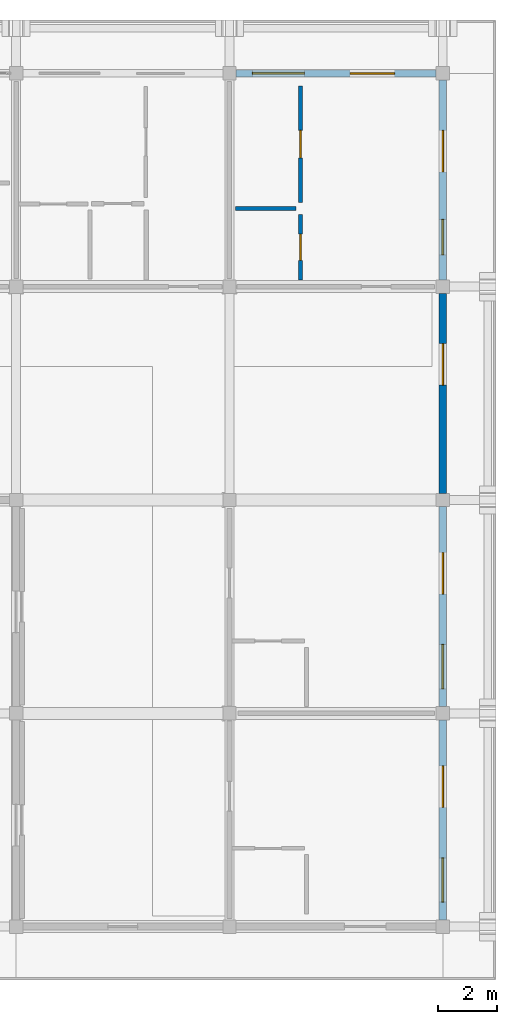
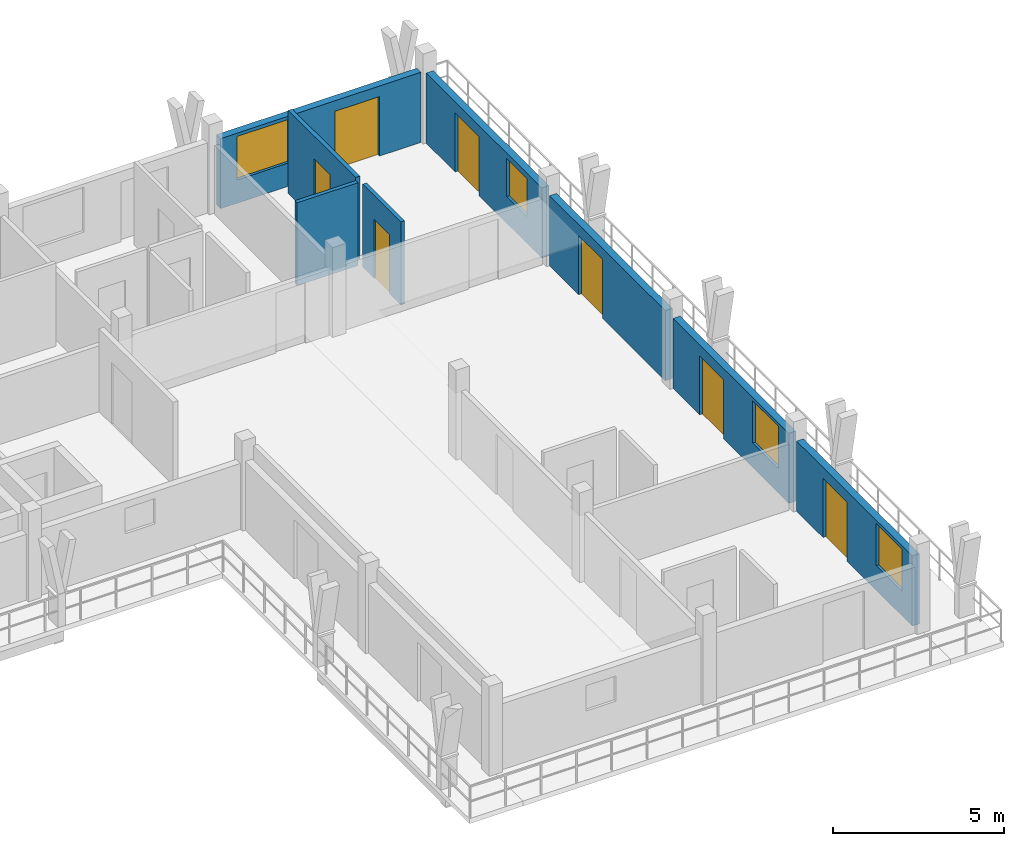
# One storey, part 26 of 32: 8 walls, 7 doors, 4 windows, 11 openings.
"""IFC4 building model written with IfcOpenShell, lengths in metres."""

from ifc_helpers import new_model, si_unit, direction, frame, frame_2d, origin, place, context, subcontext, project, spatial, rectangle, extrude, material, layer, layer_set, type_object, element, fill, save


model = new_model("IFC4")

# Units and contexts
model_context = context("Model", 3, precision=1e-05, world=origin(), true_north=direction((0.0, 1.0)))
body_context = subcontext(model_context, "Body", "Model", "MODEL_VIEW")
ifc_project = project(units=[si_unit("LENGTHUNIT", "METRE"), si_unit("AREAUNIT", "SQUARE_METRE"), si_unit("VOLUMEUNIT", "CUBIC_METRE"), si_unit("PLANEANGLEUNIT", "RADIAN"), si_unit("MASSUNIT", "GRAM", prefix="KILO")], contexts=[model_context])

# Site, building, storey
site_placement = place(None, origin())
site = spatial("IfcSite", under=ifc_project, at=site_placement, CompositionType="ELEMENT")
building_placement = place(site_placement, origin())
building = spatial("IfcBuilding", under=site, at=building_placement, Name="Suanplinth Sawtooth Commons", CompositionType="ELEMENT")
storey_placement = place(building_placement, frame((0.0, 0.0, 41.199951171875)))
storey = spatial("IfcBuildingStorey", under=building, at=storey_placement, Name="L12", CompositionType="ELEMENT", Elevation=41.199951171875)

# Wall, openings, door, window
ifc_material_1 = material(Name="Precast concrete C40/50", Category="concrete")
ifc_layer_1 = layer(ifc_material_1, 0.239990234375, Name="Upper insulated precast facade wall 240mm")
ifc_layer_set_1 = layer_set([ifc_layer_1], Name="Precast concrete C40/50")
wall_type_1 = type_object("IfcWallType", Name="W-EX03", PredefinedType="ELEMENTEDWALL", material=ifc_layer_set_1)
wall_1_placement = place(storey_placement, frame((187.199951171875, 93.824951171875, 0.0), z_axis=(0.0, 0.0, 1.0), x_axis=(0.0, 1.0, 0.0)))
wall_1 = element("IfcWall", 1, at=wall_1_placement, inside=storey, type_object=wall_type_1, Name="Facade Wall W-L12-B-E-25-13", PredefinedType="ELEMENTEDWALL", context=body_context, shape_type="SweptSolid", body=[
    extrude(rectangle(XDim=6.75, YDim=0.239990234375, at=frame_2d((3.375, 0.0))), origin(), (0.0, 0.0, 1.0), 2.4951171875),
])
opening_1_placement = place(wall_1_placement, frame((3.800048828125, 0.0, 0.0)))
opening_1 = element("IfcOpeningElement", 2, at=opening_1_placement, cuts=wall_1, Name="Opening ED0828", PredefinedType="OPENING", context=body_context, shape_type="SweptSolid", body=[
    extrude(rectangle(XDim=1.39990234375, YDim=2.10009765625, at=frame_2d((0.699951171875, 1.050048828125))), frame((0.0, 0.134765625, 0.0), z_axis=(0.0, -1.0, 0.0), x_axis=(1.0, 0.0, 0.0)), (0.0, 0.0, 1.0), 0.269775390625),
])
opening_2_placement = place(wall_1_placement, frame((0.60009765625, 0.0, 0.8798828125)))
opening_2 = element("IfcOpeningElement", 3, at=opening_2_placement, cuts=wall_1, Name="Opening W0913", PredefinedType="OPENING", context=body_context, shape_type="SweptSolid", body=[
    extrude(rectangle(XDim=1.5, YDim=1.5, at=frame_2d((0.75, 0.75))), frame((0.0, 0.134765625, 0.0), z_axis=(0.0, -1.0, 0.0), x_axis=(1.0, 0.0, 0.0)), (0.0, 0.0, 1.0), 0.269775390625),
])
ifc_material_2 = material(Name="Anodized aluminium and low-E glass", Category="aluminium")
door_type_1 = type_object("IfcDoorType", Name="SD-07", OperationType="SLIDING_TO_RIGHT", PredefinedType="DOOR", material=ifc_material_2)
door_1_placement = place(opening_1_placement, frame((1.39990234375, 0.0, 0.0), z_axis=(0.0, 0.0, 1.0), x_axis=(-1.0, 0.0, 0.0)))
door_1 = element("IfcDoor", 4, at=door_1_placement, inside=storey, type_object=door_type_1, Name="Wing Balcony Sliding Door L12-B-13", OperationType="SLIDING_TO_RIGHT", OverallHeight=2.10009765625, OverallWidth=1.39990234375, PredefinedType="DOOR", context=body_context, shape_type="SweptSolid", body=[
    extrude(rectangle(XDim=1.39990234375, YDim=2.10009765625, at=frame_2d((0.699951171875, 1.050048828125))), frame((0.0, 0.02490234375, 0.0), z_axis=(0.0, -1.0, 0.0), x_axis=(1.0, 0.0, 0.0)), (0.0, 0.0, 1.0), 0.050048828125),
])
fill(opening_1, door_1)
ifc_material_3 = material(Name="Thermally broken aluminium and low-E double glazing", Category="aluminium")
window_type_1 = type_object("IfcWindowType", Name="WN-02", PartitioningType="DOUBLE_PANEL_VERTICAL", PredefinedType="WINDOW", material=ifc_material_3)
window_1_placement = place(opening_2_placement, origin())
window_1 = element("IfcWindow", 5, at=window_1_placement, inside=storey, type_object=window_type_1, Name="Wing Window L12-B-13", OverallHeight=1.5, OverallWidth=1.5, PartitioningType="DOUBLE_PANEL_VERTICAL", PredefinedType="WINDOW", context=body_context, shape_type="SweptSolid", body=[
    extrude(rectangle(XDim=1.5, YDim=1.5, at=frame_2d((0.75, 0.75))), frame((0.0, 0.030029296875, 0.0), z_axis=(0.0, -1.0, 0.0), x_axis=(1.0, 0.0, 0.0)), (0.0, 0.0, 1.0), 0.06005859375),
])
fill(opening_2, window_1)

wall_2_placement = place(storey_placement, frame((187.199951171875, 101.02490234375, 0.0), z_axis=(0.0, 0.0, 1.0), x_axis=(0.0, 1.0, 0.0)))
wall_2 = element("IfcWall", 6, at=wall_2_placement, inside=storey, type_object=wall_type_1, Name="Facade Wall W-L12-B-E-25-14", PredefinedType="ELEMENTEDWALL", context=body_context, shape_type="SweptSolid", body=[
    extrude(rectangle(XDim=6.75, YDim=0.239990234375, at=frame_2d((3.375, 0.0))), origin(), (0.0, 0.0, 1.0), 2.4951171875),
])
opening_3_placement = place(wall_2_placement, frame((3.800048828125, 0.0, 0.0)))
opening_3 = element("IfcOpeningElement", 7, at=opening_3_placement, cuts=wall_2, Name="Opening ED0829", PredefinedType="OPENING", context=body_context, shape_type="SweptSolid", body=[
    extrude(rectangle(XDim=1.39990234375, YDim=2.10009765625, at=frame_2d((0.699951171875, 1.050048828125))), frame((0.0, 0.134765625, 0.0), z_axis=(0.0, -1.0, 0.0), x_axis=(1.0, 0.0, 0.0)), (0.0, 0.0, 1.0), 0.269775390625),
])
opening_4_placement = place(wall_2_placement, frame((0.60009765625, 0.0, 0.8798828125)))
opening_4 = element("IfcOpeningElement", 8, at=opening_4_placement, cuts=wall_2, Name="Opening W0914", PredefinedType="OPENING", context=body_context, shape_type="SweptSolid", body=[
    extrude(rectangle(XDim=1.5, YDim=1.5, at=frame_2d((0.75, 0.75))), frame((0.0, 0.134765625, 0.0), z_axis=(0.0, -1.0, 0.0), x_axis=(1.0, 0.0, 0.0)), (0.0, 0.0, 1.0), 0.269775390625),
])
door_2_placement = place(opening_3_placement, frame((1.39990234375, 0.0, 0.0), z_axis=(0.0, 0.0, 1.0), x_axis=(-1.0, 0.0, 0.0)))
door_2 = element("IfcDoor", 9, at=door_2_placement, inside=storey, type_object=door_type_1, Name="Wing Balcony Sliding Door L12-B-14", OperationType="SLIDING_TO_RIGHT", OverallHeight=2.10009765625, OverallWidth=1.39990234375, PredefinedType="DOOR", context=body_context, shape_type="SweptSolid", body=[
    extrude(rectangle(XDim=1.39990234375, YDim=2.10009765625, at=frame_2d((0.699951171875, 1.050048828125))), frame((0.0, 0.02490234375, 0.0), z_axis=(0.0, -1.0, 0.0), x_axis=(1.0, 0.0, 0.0)), (0.0, 0.0, 1.0), 0.050048828125),
])
fill(opening_3, door_2)
window_2_placement = place(opening_4_placement, origin())
window_2 = element("IfcWindow", 10, at=window_2_placement, inside=storey, type_object=window_type_1, Name="Wing Window L12-B-14", OverallHeight=1.5, OverallWidth=1.5, PartitioningType="DOUBLE_PANEL_VERTICAL", PredefinedType="WINDOW", context=body_context, shape_type="SweptSolid", body=[
    extrude(rectangle(XDim=1.5, YDim=1.5, at=frame_2d((0.75, 0.75))), frame((0.0, 0.030029296875, 0.0), z_axis=(0.0, -1.0, 0.0), x_axis=(1.0, 0.0, 0.0)), (0.0, 0.0, 1.0), 0.06005859375),
])
fill(opening_4, window_2)

# Wall, opening, door
wall_3_placement = place(storey_placement, frame((187.199951171875, 108.22509765625, 0.0), z_axis=(0.0, 0.0, 1.0), x_axis=(0.0, 1.0, 0.0)))
wall_3 = element("IfcWall", 11, at=wall_3_placement, inside=storey, type_object=wall_type_1, Name="Facade Wall W-L12-B-E-25-15", PredefinedType="ELEMENTEDWALL", context=body_context, shape_type="SweptSolid", body=[
    extrude(rectangle(XDim=6.75, YDim=0.239990234375, at=frame_2d((3.375, 0.0))), origin(), (0.0, 0.0, 1.0), 2.4951171875),
])
opening_5_placement = place(wall_3_placement, frame((3.64990234375, 0.0, 0.0)))
opening_5 = element("IfcOpeningElement", 12, at=opening_5_placement, cuts=wall_3, Name="Opening ED0830", PredefinedType="OPENING", context=body_context, shape_type="SweptSolid", body=[
    extrude(rectangle(XDim=1.39990234375, YDim=2.10009765625, at=frame_2d((0.699951171875, 1.050048828125))), frame((0.0, 0.134765625, 0.0), z_axis=(0.0, -1.0, 0.0), x_axis=(1.0, 0.0, 0.0)), (0.0, 0.0, 1.0), 0.269775390625),
])
door_3_placement = place(opening_5_placement, frame((1.39990234375, 0.0, 0.0), z_axis=(0.0, 0.0, 1.0), x_axis=(-1.0, 0.0, 0.0)))
door_3 = element("IfcDoor", 13, at=door_3_placement, inside=storey, type_object=door_type_1, Name="End Balcony Sliding Door L12-B-E-25-15", OperationType="SLIDING_TO_RIGHT", OverallHeight=2.10009765625, OverallWidth=1.39990234375, PredefinedType="DOOR", context=body_context, shape_type="SweptSolid", body=[
    extrude(rectangle(XDim=1.39990234375, YDim=2.10009765625, at=frame_2d((0.699951171875, 1.050048828125))), frame((0.0, 0.02490234375, 0.0), z_axis=(0.0, -1.0, 0.0), x_axis=(1.0, 0.0, 0.0)), (0.0, 0.0, 1.0), 0.050048828125),
])
fill(opening_5, door_3)

# Wall, openings, door, window
wall_4_placement = place(storey_placement, frame((180.22509765625, 122.39990234375, 0.0), z_axis=(0.0, 0.0, 1.0), x_axis=(1.0, 0.0, 0.0)))
wall_4 = element("IfcWall", 14, at=wall_4_placement, inside=storey, type_object=wall_type_1, Name="Facade Wall W-L12-B-N-25-16", PredefinedType="ELEMENTEDWALL", context=body_context, shape_type="SweptSolid", body=[
    extrude(rectangle(XDim=6.75, YDim=0.239990234375, at=frame_2d((3.375, 0.0))), origin(), (0.0, 0.0, 1.0), 2.4951171875),
])
opening_6_placement = place(wall_4_placement, frame((3.85009765625, 0.0, 0.0)))
opening_6 = element("IfcOpeningElement", 15, at=opening_6_placement, cuts=wall_4, Name="Opening ED0831", PredefinedType="OPENING", context=body_context, shape_type="SweptSolid", body=[
    extrude(rectangle(XDim=1.5, YDim=2.1201171875, at=frame_2d((0.75, 1.06005859375))), frame((0.0, 0.134765625, 0.0), z_axis=(0.0, -1.0, 0.0), x_axis=(1.0, 0.0, 0.0)), (0.0, 0.0, 1.0), 0.269775390625),
])
opening_7_placement = place(wall_4_placement, frame((0.550048828125, 0.0, 0.830078125)))
opening_7 = element("IfcOpeningElement", 16, at=opening_7_placement, cuts=wall_4, Name="Opening W0915", PredefinedType="OPENING", context=body_context, shape_type="SweptSolid", body=[
    extrude(rectangle(XDim=1.75, YDim=1.550048828125, at=frame_2d((0.875, 0.77490234375))), frame((0.0, 0.134765625, 0.0), z_axis=(0.0, -1.0, 0.0), x_axis=(1.0, 0.0, 0.0)), (0.0, 0.0, 1.0), 0.269775390625),
])
door_type_2 = type_object("IfcDoorType", Name="SD-03", OperationType="SLIDING_TO_LEFT", PredefinedType="DOOR", material=ifc_material_2)
door_4_placement = place(opening_6_placement, frame((1.5, 0.0, 0.0), z_axis=(0.0, 0.0, 1.0), x_axis=(-1.0, 0.0, 0.0)))
door_4 = element("IfcDoor", 17, at=door_4_placement, inside=storey, type_object=door_type_2, Name="Balcony Sliding Door L12-B-25", OperationType="SLIDING_TO_LEFT", OverallHeight=2.1201171875, OverallWidth=1.5, PredefinedType="DOOR", context=body_context, shape_type="SweptSolid", body=[
    extrude(rectangle(XDim=1.5, YDim=2.1201171875, at=frame_2d((0.75, 1.06005859375))), frame((0.0, 0.02490234375, 0.0), z_axis=(0.0, -1.0, 0.0), x_axis=(1.0, 0.0, 0.0)), (0.0, 0.0, 1.0), 0.050048828125),
])
fill(opening_6, door_4)
window_type_2 = type_object("IfcWindowType", Name="WN-26", PartitioningType="DOUBLE_PANEL_VERTICAL", PredefinedType="WINDOW", material=ifc_material_3)
window_3_placement = place(opening_7_placement, origin())
window_3 = element("IfcWindow", 18, at=window_3_placement, inside=storey, type_object=window_type_2, Name="Apartment Window L12-B-25", OverallHeight=1.550048828125, OverallWidth=1.75, PartitioningType="DOUBLE_PANEL_VERTICAL", PredefinedType="WINDOW", context=body_context, shape_type="SweptSolid", body=[
    extrude(rectangle(XDim=1.75, YDim=1.550048828125, at=frame_2d((0.875, 0.77490234375))), frame((0.0, 0.030029296875, 0.0), z_axis=(0.0, -1.0, 0.0), x_axis=(1.0, 0.0, 0.0)), (0.0, 0.0, 1.0), 0.06005859375),
])
fill(opening_7, window_3)

wall_5_placement = place(storey_placement, frame((187.199951171875, 115.425048828125, 0.0), z_axis=(0.0, 0.0, 1.0), x_axis=(0.0, 1.0, 0.0)))
wall_5 = element("IfcWall", 19, at=wall_5_placement, inside=storey, type_object=wall_type_1, Name="Facade Wall W-L12-B-E-25-16", PredefinedType="ELEMENTEDWALL", context=body_context, shape_type="SweptSolid", body=[
    extrude(rectangle(XDim=6.75, YDim=0.239990234375, at=frame_2d((3.375, 0.0))), origin(), (0.0, 0.0, 1.0), 2.4951171875),
])
opening_8_placement = place(wall_5_placement, frame((3.64990234375, 0.0, 0.0)))
opening_8 = element("IfcOpeningElement", 20, at=opening_8_placement, cuts=wall_5, Name="Opening ED0832", PredefinedType="OPENING", context=body_context, shape_type="SweptSolid", body=[
    extrude(rectangle(XDim=1.39990234375, YDim=2.10009765625, at=frame_2d((0.699951171875, 1.050048828125))), frame((0.0, 0.134765625, 0.0), z_axis=(0.0, -1.0, 0.0), x_axis=(1.0, 0.0, 0.0)), (0.0, 0.0, 1.0), 0.269775390625),
])
opening_9_placement = place(wall_5_placement, frame((0.85009765625, 0.0, 0.949951171875)))
opening_9 = element("IfcOpeningElement", 21, at=opening_9_placement, cuts=wall_5, Name="Opening W0916", PredefinedType="OPENING", context=body_context, shape_type="SweptSolid", body=[
    extrude(rectangle(XDim=1.199951171875, YDim=1.35009765625, at=frame_2d((0.60009765625, 0.675048828125))), frame((0.0, 0.134765625, 0.0), z_axis=(0.0, -1.0, 0.0), x_axis=(1.0, 0.0, 0.0)), (0.0, 0.0, 1.0), 0.269775390625),
])
door_5_placement = place(opening_8_placement, frame((1.39990234375, 0.0, 0.0), z_axis=(0.0, 0.0, 1.0), x_axis=(-1.0, 0.0, 0.0)))
door_5 = element("IfcDoor", 22, at=door_5_placement, inside=storey, type_object=door_type_1, Name="End Balcony Sliding Door L12-B-E-25-16", OperationType="SLIDING_TO_RIGHT", OverallHeight=2.10009765625, OverallWidth=1.39990234375, PredefinedType="DOOR", context=body_context, shape_type="SweptSolid", body=[
    extrude(rectangle(XDim=1.39990234375, YDim=2.10009765625, at=frame_2d((0.699951171875, 1.050048828125))), frame((0.0, 0.02490234375, 0.0), z_axis=(0.0, -1.0, 0.0), x_axis=(1.0, 0.0, 0.0)), (0.0, 0.0, 1.0), 0.050048828125),
])
fill(opening_8, door_5)
window_type_3 = type_object("IfcWindowType", Name="WN-03", PartitioningType="SINGLE_PANEL", PredefinedType="WINDOW", material=ifc_material_3)
window_4_placement = place(opening_9_placement, origin())
window_4 = element("IfcWindow", 23, at=window_4_placement, inside=storey, type_object=window_type_3, Name="End Bedroom Window L12-B-25-16", OverallHeight=1.35009765625, OverallWidth=1.199951171875, PartitioningType="SINGLE_PANEL", PredefinedType="WINDOW", context=body_context, shape_type="SweptSolid", body=[
    extrude(rectangle(XDim=1.199951171875, YDim=1.35009765625, at=frame_2d((0.60009765625, 0.675048828125))), frame((0.0, 0.030029296875, 0.0), z_axis=(0.0, -1.0, 0.0), x_axis=(1.0, 0.0, 0.0)), (0.0, 0.0, 1.0), 0.06005859375),
])
fill(opening_9, window_4)

# Wall, opening, door
ifc_material_4 = material(Name="Gypsum plasterboard on steel stud", Category="steel")
ifc_layer_2 = layer(ifc_material_4, 0.139892578125, Name="Fire-rated kitchen partition 140mm")
ifc_layer_set_2 = layer_set([ifc_layer_2], Name="Gypsum plasterboard on steel stud")
wall_type_2 = type_object("IfcWallType", Name="W-PT01", PredefinedType="PARTITIONING", material=ifc_layer_set_2)
wall_6_placement = place(storey_placement, frame((182.39501953125, 118.0400390625, 0.0), z_axis=(0.0, 0.0, 1.0), x_axis=(0.0, 1.0, 0.0)))
wall_6 = element("IfcWall", 24, at=wall_6_placement, inside=storey, type_object=wall_type_2, Name="W-B-L12-U05-KITE", PredefinedType="PARTITIONING", context=body_context, shape_type="SweptSolid", body=[
    extrude(rectangle(XDim=3.93994140625, YDim=0.139892578125, at=frame_2d((1.969970703125, 0.0))), origin(), (0.0, 0.0, 1.0), 2.949951171875),
])
opening_10_placement = place(wall_6_placement, frame((1.5048828125, 0.0, 0.0)))
opening_10 = element("IfcOpeningElement", 25, at=opening_10_placement, cuts=wall_6, Name="Opening D2030", PredefinedType="OPENING", context=body_context, shape_type="SweptSolid", body=[
    extrude(rectangle(XDim=0.929931640625, YDim=2.139892578125, at=frame_2d((0.46484375, 1.06982421875))), frame((0.0, 0.0849609375, 0.0), z_axis=(0.0, -1.0, 0.0), x_axis=(1.0, 0.0, 0.0)), (0.0, 0.0, 1.0), 0.169677734375),
])
ifc_material_5 = material(Name="Teak hardwood", Category="wood")
door_type_3 = type_object("IfcDoorType", Name="D-19", OperationType="NOTDEFINED", PredefinedType="DOOR", material=ifc_material_5)
door_6_placement = place(opening_10_placement, origin())
door_6 = element("IfcDoor", 26, at=door_6_placement, inside=storey, type_object=door_type_3, Name="Kitchen Door D2030", OperationType="SINGLE_SWING_RIGHT", OverallHeight=2.139892578125, OverallWidth=0.929931640625, PredefinedType="DOOR", context=body_context, shape_type="SweptSolid", body=[
    extrude(rectangle(XDim=0.929931640625, YDim=2.139892578125, at=frame_2d((0.46484375, 1.06982421875))), frame((0.0, 0.02490234375, 0.0), z_axis=(0.0, -1.0, 0.0), x_axis=(1.0, 0.0, 0.0)), (0.0, 0.0, 1.0), 0.050048828125),
])
fill(opening_10, door_6)

# Wall
ifc_layer_3 = layer(ifc_material_4, 0.1298828125, Name="Moisture-resistant bathroom partition 130mm")
ifc_layer_set_3 = layer_set([ifc_layer_3], Name="Gypsum plasterboard on steel stud")
wall_type_3 = type_object("IfcWallType", Name="W-PT02", PredefinedType="PARTITIONING", material=ifc_layer_set_3)
wall_7_placement = place(storey_placement, frame((180.199951171875, 117.840087890625, 0.0), z_axis=(0.0, 0.0, 1.0), x_axis=(1.0, 0.0, 0.0)))
element("IfcWall", 27, at=wall_7_placement, inside=storey, type_object=wall_type_3, Name="W-B-L12-U05-STDIV", PredefinedType="PARTITIONING", context=body_context, shape_type="SweptSolid", body=[
    extrude(rectangle(XDim=2.050048828125, YDim=0.1298828125, at=frame_2d((1.02490234375, 0.0))), origin(), (0.0, 0.0, 1.0), 2.949951171875),
])

# Wall, opening, door
wall_8_placement = place(storey_placement, frame((182.39501953125, 115.419921875, 0.0), z_axis=(0.0, 0.0, 1.0), x_axis=(0.0, 1.0, 0.0)))
wall_8 = element("IfcWall", 28, at=wall_8_placement, inside=storey, type_object=wall_type_3, Name="W-B-L12-U05-BTHE", PredefinedType="PARTITIONING", context=body_context, shape_type="SweptSolid", body=[
    extrude(rectangle(XDim=2.219970703125, YDim=0.1298828125, at=frame_2d((1.10986328125, 0.0))), origin(), (0.0, 0.0, 1.0), 2.949951171875),
])
opening_11_placement = place(wall_8_placement, frame((0.669921875, 0.0, 0.0)))
opening_11 = element("IfcOpeningElement", 29, at=opening_11_placement, cuts=wall_8, Name="Opening D2029", PredefinedType="OPENING", context=body_context, shape_type="SweptSolid", body=[
    extrude(rectangle(XDim=0.8798828125, YDim=2.10009765625, at=frame_2d((0.43994140625, 1.050048828125))), frame((0.0, 0.079833984375, 0.0), z_axis=(0.0, -1.0, 0.0), x_axis=(1.0, 0.0, 0.0)), (0.0, 0.0, 1.0), 0.15966796875),
])
door_type_4 = type_object("IfcDoorType", Name="D-14", OperationType="NOTDEFINED", PredefinedType="DOOR", material=ifc_material_5)
door_7_placement = place(opening_11_placement, origin())
door_7 = element("IfcDoor", 30, at=door_7_placement, inside=storey, type_object=door_type_4, Name="Bathroom Door D2029", OperationType="SINGLE_SWING_LEFT", OverallHeight=2.10009765625, OverallWidth=0.8798828125, PredefinedType="DOOR", context=body_context, shape_type="SweptSolid", body=[
    extrude(rectangle(XDim=0.8798828125, YDim=2.10009765625, at=frame_2d((0.43994140625, 1.050048828125))), frame((0.0, 0.02490234375, 0.0), z_axis=(0.0, -1.0, 0.0), x_axis=(1.0, 0.0, 0.0)), (0.0, 0.0, 1.0), 0.050048828125),
])
fill(opening_11, door_7)

save(model, "model.ifc")
